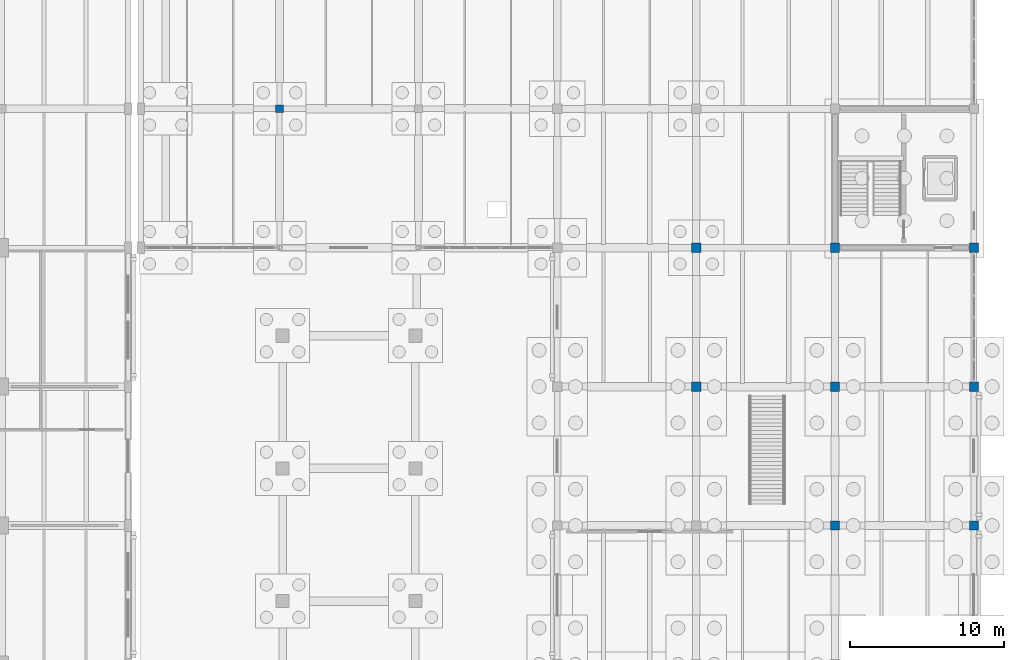
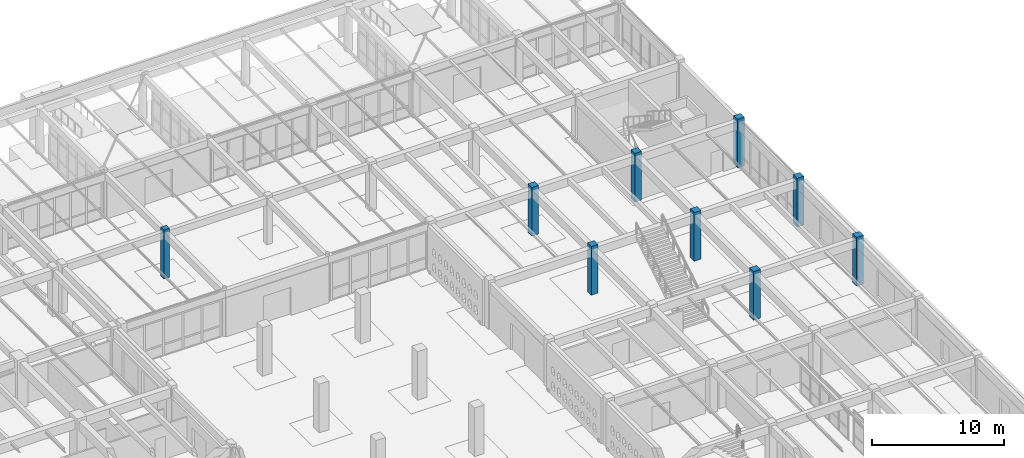
# One storey, part 20 of 186: 9 columns.
"""IFC4 building model written with IfcOpenShell, lengths in metres."""

from ifc_helpers import new_model, si_unit, direction, frame, origin, origin_2d, place, context, subcontext, project, spatial, rectangle, extrude, material, material_profile, profile_set, type_object, element, save


model = new_model("IFC4")

# Units and contexts
model_context = context("Model", 3, precision=1e-05, world=origin(), true_north=direction((0.0, 1.0)))
body_context = subcontext(model_context, "Body", "Model", "MODEL_VIEW")
ifc_project = project(units=[si_unit("LENGTHUNIT", "METRE"), si_unit("AREAUNIT", "SQUARE_METRE"), si_unit("VOLUMEUNIT", "CUBIC_METRE"), si_unit("PLANEANGLEUNIT", "RADIAN"), si_unit("MASSUNIT", "GRAM", prefix="KILO")], contexts=[model_context])

# Site, building, storey
site_placement = place(None, origin())
site = spatial("IfcSite", under=ifc_project, at=site_placement, CompositionType="ELEMENT")
building_placement = place(site_placement, origin())
building = spatial("IfcBuilding", under=site, at=building_placement, Name="Ornek Quay Market", CompositionType="ELEMENT")
storey_placement = place(building_placement, origin())
storey = spatial("IfcBuildingStorey", under=building, at=storey_placement, Name="L00", CompositionType="ELEMENT", Elevation=0.0)

# Columns
ifc_material = material(Name="Concrete C40/50", Category="concrete")
ifc_material_profile_1 = material_profile(ifc_material, rectangle(XDim=0.5, YDim=0.5, at=origin_2d()), Name="RC 500x500", Category="concrete")
ifc_profile_set_1 = profile_set([ifc_material_profile_1], Name="Concrete C40/50")
column_type_1 = type_object("IfcColumnType", Name="COL-RC-500x500", PredefinedType="COLUMN", material=ifc_profile_set_1)
column_placement = place(storey_placement, frame((135.0, 101.0, 0.0), z_axis=(0.0, 0.0, 1.0), x_axis=(1.0, 0.0, 0.0)))
element("IfcColumn", 1, at=column_placement, inside=storey, type_object=column_type_1, Name="Column C-50-067", PredefinedType="COLUMN", context=body_context, shape_type="SweptSolid", body=[
    extrude(rectangle(XDim=0.5, YDim=0.5, at=origin_2d()), origin(), (0.0, 0.0, 1.0), 4.5),
])
ifc_material_profile_2 = material_profile(ifc_material, rectangle(XDim=0.60009765625, YDim=0.60009765625, at=origin_2d()), Name="RC 600x600", Category="concrete")
ifc_profile_set_2 = profile_set([ifc_material_profile_2], Name="Concrete C40/50")
column_type_2 = type_object("IfcColumnType", Name="COL-RC-600x600", PredefinedType="COLUMN", material=ifc_profile_set_2)
for number, where, z_axis, x_axis, name in (
    (2, (162.0, 83.0, 0.0), (0.0, 0.0, 1.0), (1.0, 0.0, 0.0), "Column C-60-030"),
    (3, (162.0, 92.0, 0.0), (0.0, 0.0, 1.0), (1.0, 0.0, 0.0), "Column C-60-031"),
    (4, (171.0, 74.0, 0.0), (0.0, 0.0, 1.0), (1.0, 0.0, 0.0), "Column C-60-034"),
    (5, (171.0, 83.0, 0.0), (0.0, 0.0, 1.0), (1.0, 0.0, 0.0), "Column C-60-035"),
    (6, (171.0, 92.0, 0.0), (0.0, 0.0, 1.0), (1.0, 0.0, 0.0), "Column C-60-036"),
    (7, (180.0, 74.0, 0.0), (0.0, 0.0, 1.0), (1.0, 0.0, 0.0), "Column C-60-039"),
    (8, (180.0, 83.0, 0.0), (0.0, 0.0, 1.0), (1.0, 0.0, 0.0), "Column C-60-040"),
    (9, (180.0, 92.0, 0.0), (0.0, 0.0, 1.0), (1.0, 0.0, 0.0), "Column C-60-041"),
):
    element("IfcColumn", number, at=place(storey_placement, frame(where, z_axis=z_axis, x_axis=x_axis)), inside=storey, type_object=column_type_2, Name=name, PredefinedType="COLUMN", context=body_context, shape_type="SweptSolid", body=[
        extrude(rectangle(XDim=0.60009765625, YDim=0.60009765625, at=origin_2d()), origin(), (0.0, 0.0, 1.0), 4.5),
    ])

save(model, "model.ifc")
